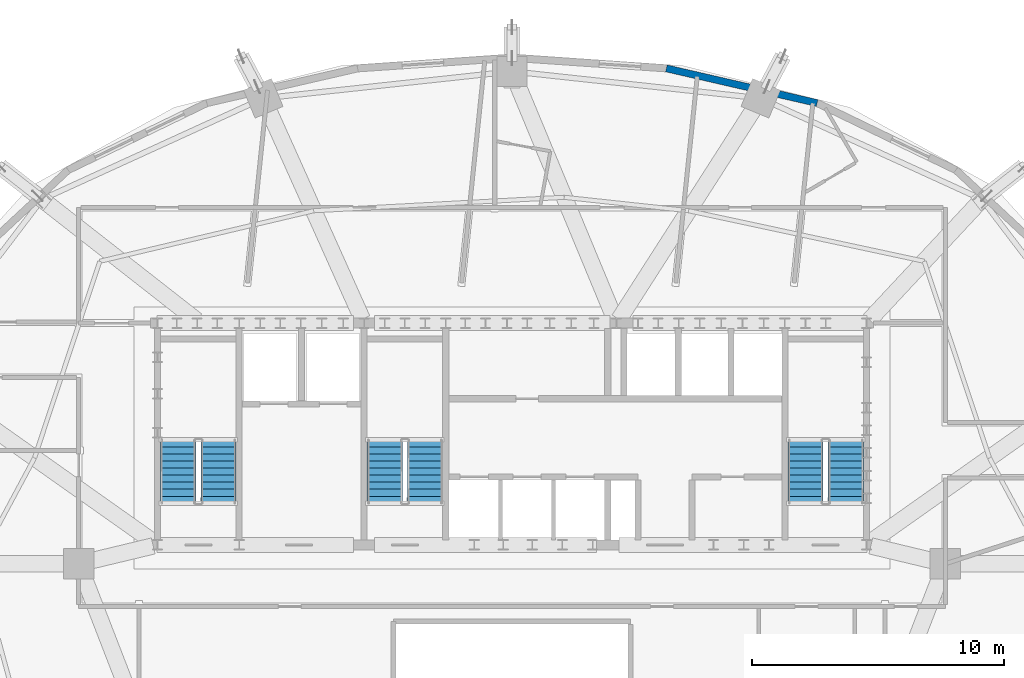
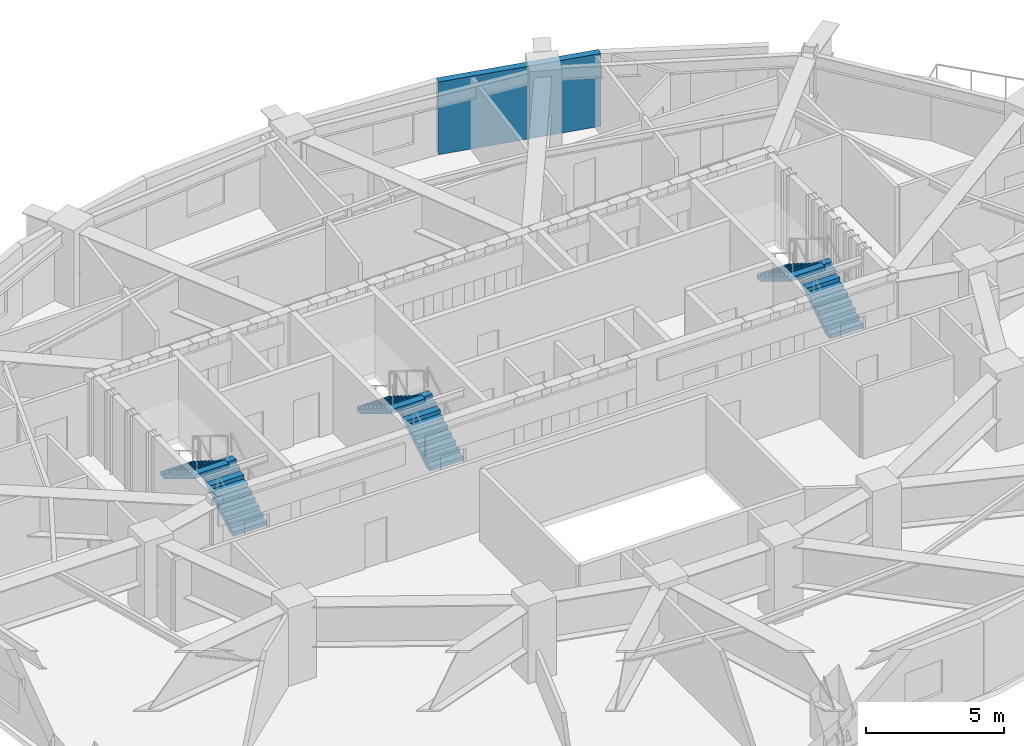
# One storey, part 10 of 14: 6 stair flights, 1 wall, 3 elements without a shape of their own.
"""IFC4 building model written with IfcOpenShell, lengths in metres."""

from ifc_helpers import new_model, si_unit, direction, frame, frame_2d, origin, place, context, subcontext, project, spatial, polyline, rectangle, outline, extrude, material, layer, layer_set, type_object, element, aggregate, save


model = new_model("IFC4")

# Units and contexts
model_context = context("Model", 3, precision=1e-05, world=origin(), true_north=direction((0.0, 1.0)))
body_context = subcontext(model_context, "Body", "Model", "MODEL_VIEW")
ifc_project = project(units=[si_unit("LENGTHUNIT", "METRE"), si_unit("AREAUNIT", "SQUARE_METRE"), si_unit("VOLUMEUNIT", "CUBIC_METRE"), si_unit("PLANEANGLEUNIT", "RADIAN"), si_unit("MASSUNIT", "GRAM", prefix="KILO")], contexts=[model_context])

# Site, building, storey
site_placement = place(None, origin())
site = spatial("IfcSite", under=ifc_project, at=site_placement, CompositionType="ELEMENT")
building_placement = place(site_placement, origin())
building = spatial("IfcBuilding", under=site, at=building_placement, Name="Haldorwick Loom Tower", CompositionType="ELEMENT")
storey_placement = place(building_placement, frame((0.0, 0.0, 182.050048828125)))
storey = spatial("IfcBuildingStorey", under=building, at=storey_placement, Name="L49", CompositionType="ELEMENT", Elevation=182.050048828125)

# Wall
ifc_material_1 = material(Name="Pressed Clay Face Brick and Insulated Masonry Backup Assembly", Category="masonry")
ifc_layer = layer(ifc_material_1, 0.280029296875, Name="Pressed Clay Face Brick and Insulated Masonry Backup Assembly", Category="masonry")
ifc_layer_set = layer_set([ifc_layer], Name="Pressed Clay Face Brick and Insulated Masonry Backup Assembly")
wall_type = type_object("IfcWallType", Name="ARC-WL-EXT280", PredefinedType="STANDARD", material=ifc_layer_set)
wall_placement = place(storey_placement, frame((48.11181640625, 44.2890625, 0.0), z_axis=(0.0, 0.0, 1.0), x_axis=(-0.974593223547, 0.223982250674, 0.0)))
element("IfcWall", 1, at=wall_placement, inside=storey, type_object=wall_type, Name="L49 Brick Pier and Spandrel Wall 5", PredefinedType="STANDARD", context=body_context, shape_type="SweptSolid", body=[
    extrude(rectangle(XDim=6.138916015625, YDim=0.280029296875, at=frame_2d((3.0693359375, 0.0))), origin(), (0.0, 0.0, 1.0), 3.2099609375),
])

# Stair, stair flights
ifc_material_2 = material(Name="Concrete C40 (40 MPa)", Category="concrete")
stair_type = type_object("IfcStairType", Name="STR-STR-CORE", PredefinedType="HALF_TURN_STAIR", material=ifc_material_2)
stair_1_placement = place(storey_placement, origin())
stair_1 = element("IfcStair", 2, at=stair_1_placement, inside=storey, type_object=stair_type, Name="L49 Exit Stair ST-01", PredefinedType="HALF_TURN_STAIR")
stair_flight_type = type_object("IfcStairFlightType", Name="STR-STF-1250", PredefinedType="STRAIGHT", material=ifc_material_2)
stair_flight_1_placement = place(storey_placement, frame((24.35009765625, 28.39990234375, 0.0), z_axis=(0.0, 0.0, 1.0), x_axis=(0.0, 1.0, 0.0)))
stair_flight_1 = element("IfcStairFlight", 3, at=stair_flight_1_placement, type_object=stair_flight_type, Name="ST-01 flight 1", NumberOfRisers=10, NumberOfTreads=9, PredefinedType="STRAIGHT", RiserHeight=0.1725, TreadLength=0.28, context=body_context, shape_type="SweptSolid", body=[
    extrude(outline(polyline([(0.0, 0.0), (0.0, 0.172607421875), (0.280029296875, 0.172607421875), (0.280029296875, 0.344970703125), (0.56005859375, 0.344970703125), (0.56005859375, 0.517578125), (0.840087890625, 0.517578125), (0.840087890625, 0.68994140625), (1.1201171875, 0.68994140625), (1.1201171875, 0.862548828125), (1.39990234375, 0.862548828125), (1.39990234375, 1.034912109375), (1.679931640625, 1.034912109375), (1.679931640625, 1.20751953125), (1.9599609375, 1.20751953125), (1.9599609375, 1.3798828125), (2.239990234375, 1.3798828125), (2.239990234375, 1.552490234375), (2.52001953125, 1.552490234375), (2.52001953125, 1.72509765625), (2.52001953125, 1.37646484375), (0.285888671875, 0.0), (0.0, 0.0)])), frame((0.0, 0.699951171875, 0.0), z_axis=(0.0, -1.0, 0.0), x_axis=(1.0, 0.0, 0.0)), (0.0, 0.0, 1.0), 1.39990234375),
])
stair_flight_2_placement = place(storey_placement, frame((22.75, 30.919921875, 1.724853515625), z_axis=(0.0, 0.0, 1.0), x_axis=(0.0, -1.0, 0.0)))
stair_flight_2 = element("IfcStairFlight", 4, at=stair_flight_2_placement, type_object=stair_flight_type, Name="ST-01 flight 2", NumberOfRisers=10, NumberOfTreads=9, PredefinedType="STRAIGHT", RiserHeight=0.1725, TreadLength=0.28, context=body_context, shape_type="SweptSolid", body=[
    extrude(outline(polyline([(0.0, 0.0), (0.0, 0.172607421875), (0.280029296875, 0.172607421875), (0.280029296875, 0.344970703125), (0.56005859375, 0.344970703125), (0.56005859375, 0.517578125), (0.840087890625, 0.517578125), (0.840087890625, 0.68994140625), (1.1201171875, 0.68994140625), (1.1201171875, 0.862548828125), (1.39990234375, 0.862548828125), (1.39990234375, 1.034912109375), (1.679931640625, 1.034912109375), (1.679931640625, 1.20751953125), (1.9599609375, 1.20751953125), (1.9599609375, 1.3798828125), (2.239990234375, 1.3798828125), (2.239990234375, 1.552490234375), (2.52001953125, 1.552490234375), (2.52001953125, 1.72509765625), (2.52001953125, 1.37646484375), (0.285888671875, 0.0), (0.0, 0.0)])), frame((0.0, 0.699951171875, 0.0), z_axis=(0.0, -1.0, 0.0), x_axis=(1.0, 0.0, 0.0)), (0.0, 0.0, 1.0), 1.39990234375),
])
aggregate(stair_1, [stair_flight_1, stair_flight_2])

stair_2_placement = place(storey_placement, origin())
stair_2 = element("IfcStair", 5, at=stair_2_placement, inside=storey, type_object=stair_type, Name="L49 Exit Stair ST-02", PredefinedType="HALF_TURN_STAIR")
stair_flight_3_placement = place(storey_placement, frame((49.25, 28.39990234375, 0.0), z_axis=(0.0, 0.0, 1.0), x_axis=(0.0, 1.0, 0.0)))
stair_flight_3 = element("IfcStairFlight", 6, at=stair_flight_3_placement, type_object=stair_flight_type, Name="ST-02 flight 1", NumberOfRisers=10, NumberOfTreads=9, PredefinedType="STRAIGHT", RiserHeight=0.1725, TreadLength=0.28, context=body_context, shape_type="SweptSolid", body=[
    extrude(outline(polyline([(0.0, 0.0), (0.0, 0.172607421875), (0.280029296875, 0.172607421875), (0.280029296875, 0.344970703125), (0.56005859375, 0.344970703125), (0.56005859375, 0.517578125), (0.840087890625, 0.517578125), (0.840087890625, 0.68994140625), (1.1201171875, 0.68994140625), (1.1201171875, 0.862548828125), (1.39990234375, 0.862548828125), (1.39990234375, 1.034912109375), (1.679931640625, 1.034912109375), (1.679931640625, 1.20751953125), (1.9599609375, 1.20751953125), (1.9599609375, 1.3798828125), (2.239990234375, 1.3798828125), (2.239990234375, 1.552490234375), (2.52001953125, 1.552490234375), (2.52001953125, 1.72509765625), (2.52001953125, 1.37646484375), (0.285888671875, 0.0), (0.0, 0.0)])), frame((0.0, 0.699951171875, 0.0), z_axis=(0.0, -1.0, 0.0), x_axis=(1.0, 0.0, 0.0)), (0.0, 0.0, 1.0), 1.39990234375),
])
stair_flight_4_placement = place(storey_placement, frame((47.64990234375, 30.919921875, 1.724853515625), z_axis=(0.0, 0.0, 1.0), x_axis=(0.0, -1.0, 0.0)))
stair_flight_4 = element("IfcStairFlight", 7, at=stair_flight_4_placement, type_object=stair_flight_type, Name="ST-02 flight 2", NumberOfRisers=10, NumberOfTreads=9, PredefinedType="STRAIGHT", RiserHeight=0.1725, TreadLength=0.28, context=body_context, shape_type="SweptSolid", body=[
    extrude(outline(polyline([(0.0, 0.0), (0.0, 0.172607421875), (0.280029296875, 0.172607421875), (0.280029296875, 0.344970703125), (0.56005859375, 0.344970703125), (0.56005859375, 0.517578125), (0.840087890625, 0.517578125), (0.840087890625, 0.68994140625), (1.1201171875, 0.68994140625), (1.1201171875, 0.862548828125), (1.39990234375, 0.862548828125), (1.39990234375, 1.034912109375), (1.679931640625, 1.034912109375), (1.679931640625, 1.20751953125), (1.9599609375, 1.20751953125), (1.9599609375, 1.3798828125), (2.239990234375, 1.3798828125), (2.239990234375, 1.552490234375), (2.52001953125, 1.552490234375), (2.52001953125, 1.72509765625), (2.52001953125, 1.37646484375), (0.285888671875, 0.0), (0.0, 0.0)])), frame((0.0, 0.699951171875, 0.0), z_axis=(0.0, -1.0, 0.0), x_axis=(1.0, 0.0, 0.0)), (0.0, 0.0, 1.0), 1.39990234375),
])
aggregate(stair_2, [stair_flight_3, stair_flight_4])

stair_3_placement = place(storey_placement, origin())
stair_3 = element("IfcStair", 8, at=stair_3_placement, inside=storey, type_object=stair_type, Name="L49 Exit Stair ST-03", PredefinedType="HALF_TURN_STAIR")
stair_flight_5_placement = place(storey_placement, frame((32.550048828125, 28.39990234375, 0.0), z_axis=(0.0, 0.0, 1.0), x_axis=(0.0, 1.0, 0.0)))
stair_flight_5 = element("IfcStairFlight", 9, at=stair_flight_5_placement, type_object=stair_flight_type, Name="ST-03 flight 1", NumberOfRisers=10, NumberOfTreads=9, PredefinedType="STRAIGHT", RiserHeight=0.1725, TreadLength=0.28, context=body_context, shape_type="SweptSolid", body=[
    extrude(outline(polyline([(0.0, 0.0), (0.0, 0.172607421875), (0.280029296875, 0.172607421875), (0.280029296875, 0.344970703125), (0.56005859375, 0.344970703125), (0.56005859375, 0.517578125), (0.840087890625, 0.517578125), (0.840087890625, 0.68994140625), (1.1201171875, 0.68994140625), (1.1201171875, 0.862548828125), (1.39990234375, 0.862548828125), (1.39990234375, 1.034912109375), (1.679931640625, 1.034912109375), (1.679931640625, 1.20751953125), (1.9599609375, 1.20751953125), (1.9599609375, 1.3798828125), (2.239990234375, 1.3798828125), (2.239990234375, 1.552490234375), (2.52001953125, 1.552490234375), (2.52001953125, 1.72509765625), (2.52001953125, 1.37646484375), (0.285888671875, 0.0), (0.0, 0.0)])), frame((0.0, 0.699951171875, 0.0), z_axis=(0.0, -1.0, 0.0), x_axis=(1.0, 0.0, 0.0)), (0.0, 0.0, 1.0), 1.39990234375),
])
stair_flight_6_placement = place(storey_placement, frame((30.949951171875, 30.919921875, 1.724853515625), z_axis=(0.0, 0.0, 1.0), x_axis=(0.0, -1.0, 0.0)))
stair_flight_6 = element("IfcStairFlight", 10, at=stair_flight_6_placement, type_object=stair_flight_type, Name="ST-03 flight 2", NumberOfRisers=10, NumberOfTreads=9, PredefinedType="STRAIGHT", RiserHeight=0.1725, TreadLength=0.28, context=body_context, shape_type="SweptSolid", body=[
    extrude(outline(polyline([(0.0, 0.0), (0.0, 0.172607421875), (0.280029296875, 0.172607421875), (0.280029296875, 0.344970703125), (0.56005859375, 0.344970703125), (0.56005859375, 0.517578125), (0.840087890625, 0.517578125), (0.840087890625, 0.68994140625), (1.1201171875, 0.68994140625), (1.1201171875, 0.862548828125), (1.39990234375, 0.862548828125), (1.39990234375, 1.034912109375), (1.679931640625, 1.034912109375), (1.679931640625, 1.20751953125), (1.9599609375, 1.20751953125), (1.9599609375, 1.3798828125), (2.239990234375, 1.3798828125), (2.239990234375, 1.552490234375), (2.52001953125, 1.552490234375), (2.52001953125, 1.72509765625), (2.52001953125, 1.37646484375), (0.285888671875, 0.0), (0.0, 0.0)])), frame((0.0, 0.699951171875, 0.0), z_axis=(0.0, -1.0, 0.0), x_axis=(1.0, 0.0, 0.0)), (0.0, 0.0, 1.0), 1.39990234375),
])
aggregate(stair_3, [stair_flight_5, stair_flight_6])

save(model, "model.ifc")
